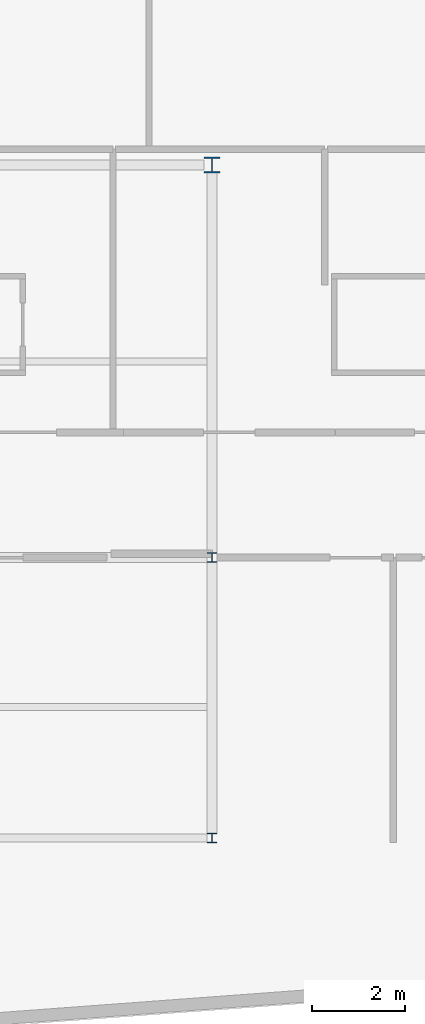
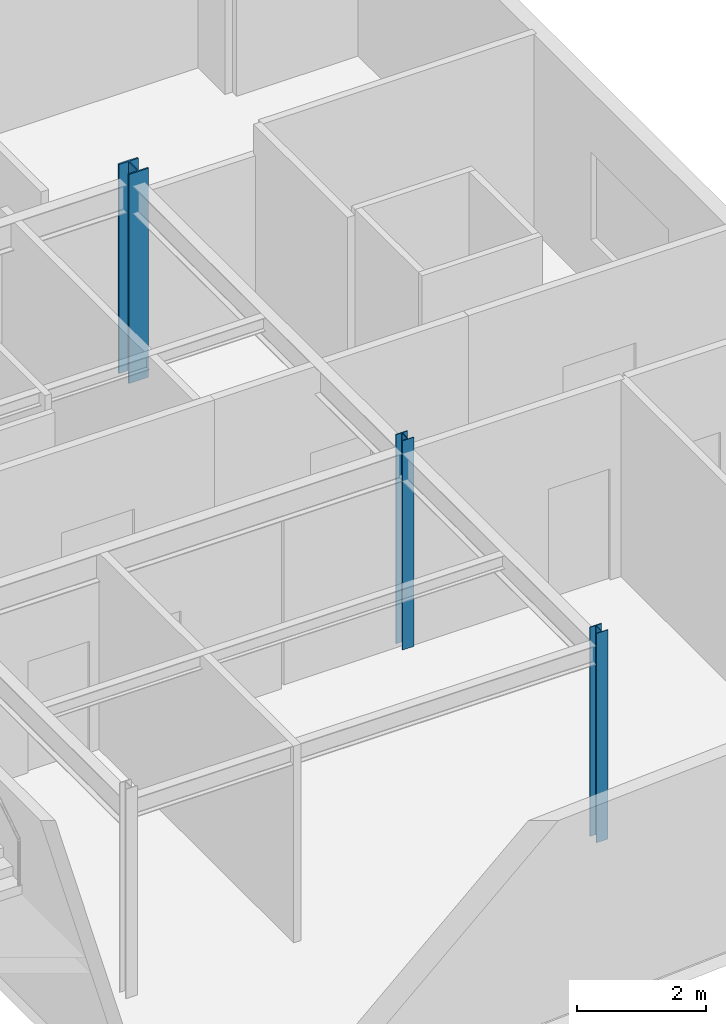
# One storey, part 3 of 16: 3 columns.
"""IFC4 building model written with IfcOpenShell, lengths in metres."""

from ifc_helpers import new_model, si_unit, direction, frame, origin, origin_2d, place, context, subcontext, project, spatial, i_section, extrude, material, material_profile, profile_set, type_object, element, save


model = new_model("IFC4")

# Units and contexts
model_context = context("Model", 3, precision=1e-05, world=origin(), true_north=direction((0.0, 1.0)))
body_context = subcontext(model_context, "Body", "Model", "MODEL_VIEW")
ifc_project = project(units=[si_unit("LENGTHUNIT", "METRE"), si_unit("AREAUNIT", "SQUARE_METRE"), si_unit("VOLUMEUNIT", "CUBIC_METRE"), si_unit("PLANEANGLEUNIT", "RADIAN"), si_unit("MASSUNIT", "GRAM", prefix="KILO")], contexts=[model_context])

# Site, building, storey
site_placement = place(None, origin())
site = spatial("IfcSite", under=ifc_project, at=site_placement, CompositionType="ELEMENT")
building_placement = place(site_placement, origin())
building = spatial("IfcBuilding", under=site, at=building_placement, Name="Varnakote Quay Hospital", CompositionType="ELEMENT")
storey_placement = place(building_placement, frame((0.0, 0.0, 280.25)))
storey = spatial("IfcBuildingStorey", under=building, at=storey_placement, Name="L69", CompositionType="ELEMENT", Elevation=280.25)

# Columns
ifc_material_1 = material(Name="Structural steel AS/NZS 3679.1 Grade 350 L0 (fy 340 MPa)", Category="steel")
ifc_material_profile_1 = material_profile(ifc_material_1, i_section(OverallWidth=0.205078125, OverallDepth=0.2099609375, WebThickness=0.00927734375, FlangeThickness=0.01416015625, FilletRadius=0.011474609375, at=origin_2d()), Name="200UC59.5")
ifc_profile_set_1 = profile_set([ifc_material_profile_1], Name="Structural steel AS/NZS 3679.1 Grade 350 L0 (fy 340 MPa)")
column_type_1 = type_object("IfcColumnType", Name="COL-STL-200UC59-5", PredefinedType="COLUMN", material=ifc_profile_set_1)
for number, where, z_axis, x_axis, name in (
    (1, (33.60009765625, 6.0, 0.0), (0.0, 0.0, 1.0), (1.0, 0.0, 0.0), "L69 Structural Column C-34-6"),
    (2, (33.60009765625, 12.0, 0.0), (0.0, 0.0, 1.0), (1.0, 0.0, 0.0), "L69 Structural Column C-34-12"),
):
    element("IfcColumn", number, at=place(storey_placement, frame(where, z_axis=z_axis, x_axis=x_axis)), inside=storey, type_object=column_type_1, Name=name, PredefinedType="COLUMN", context=body_context, shape_type="SweptSolid", body=[
        extrude(i_section(OverallWidth=0.205078125, OverallDepth=0.2099609375, WebThickness=0.00927734375, FlangeThickness=0.01416015625, FilletRadius=0.011474609375, at=origin_2d()), origin(), (0.0, 0.0, 1.0), 3.949951171875),
    ])
ifc_material_2 = material(Name="Structural steel AS/NZS 3678 Grade 350 (fy 340 MPa)", Category="steel")
ifc_material_profile_2 = material_profile(ifc_material_2, i_section(OverallWidth=0.35009765625, OverallDepth=0.340087890625, WebThickness=0.01611328125, FlangeThickness=0.028076171875, at=origin_2d()), Name="350WC197")
ifc_profile_set_2 = profile_set([ifc_material_profile_2], Name="Structural steel AS/NZS 3678 Grade 350 (fy 340 MPa)")
column_type_2 = type_object("IfcColumnType", Name="COL-STL-350WC197", PredefinedType="COLUMN", material=ifc_profile_set_2)
column_placement = place(storey_placement, frame((33.60009765625, 20.39990234375, 0.0), z_axis=(0.0, 0.0, 1.0), x_axis=(1.0, 0.0, 0.0)))
element("IfcColumn", 3, at=column_placement, inside=storey, type_object=column_type_2, Name="L69 Structural Column C-34-20", PredefinedType="COLUMN", context=body_context, shape_type="SweptSolid", body=[
    extrude(i_section(OverallWidth=0.35009765625, OverallDepth=0.340087890625, WebThickness=0.01611328125, FlangeThickness=0.028076171875, at=origin_2d()), origin(), (0.0, 0.0, 1.0), 3.949951171875),
])

save(model, "model.ifc")
